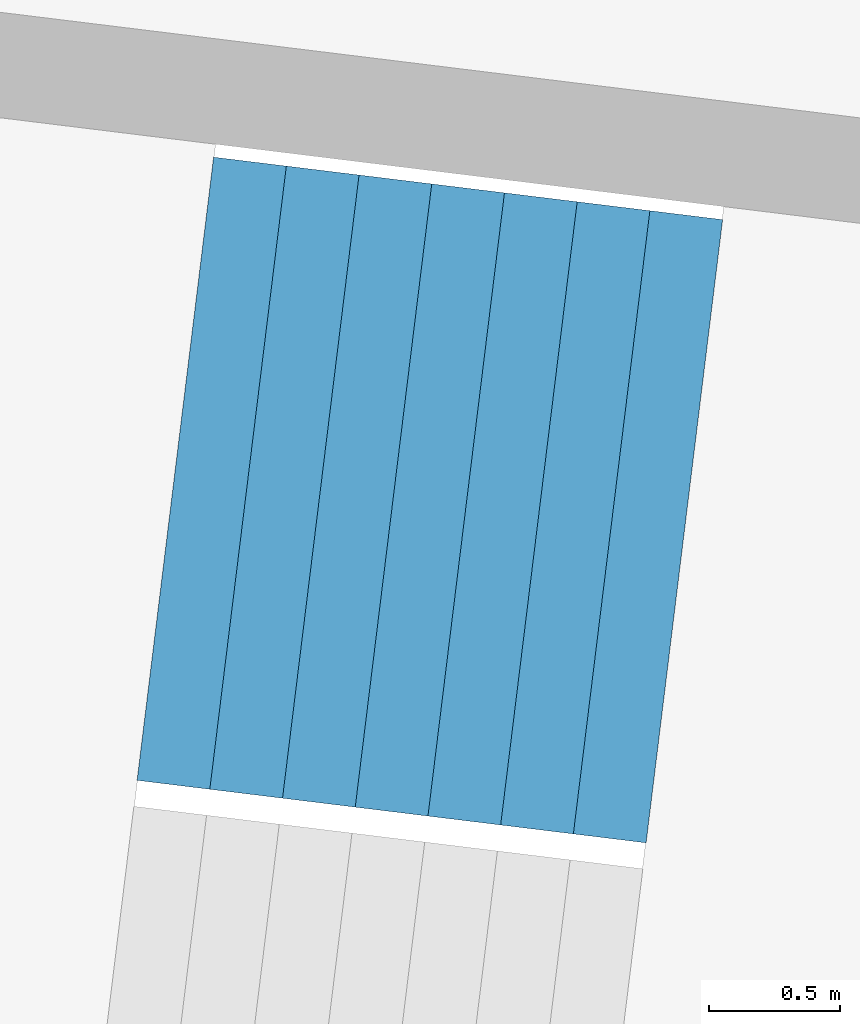
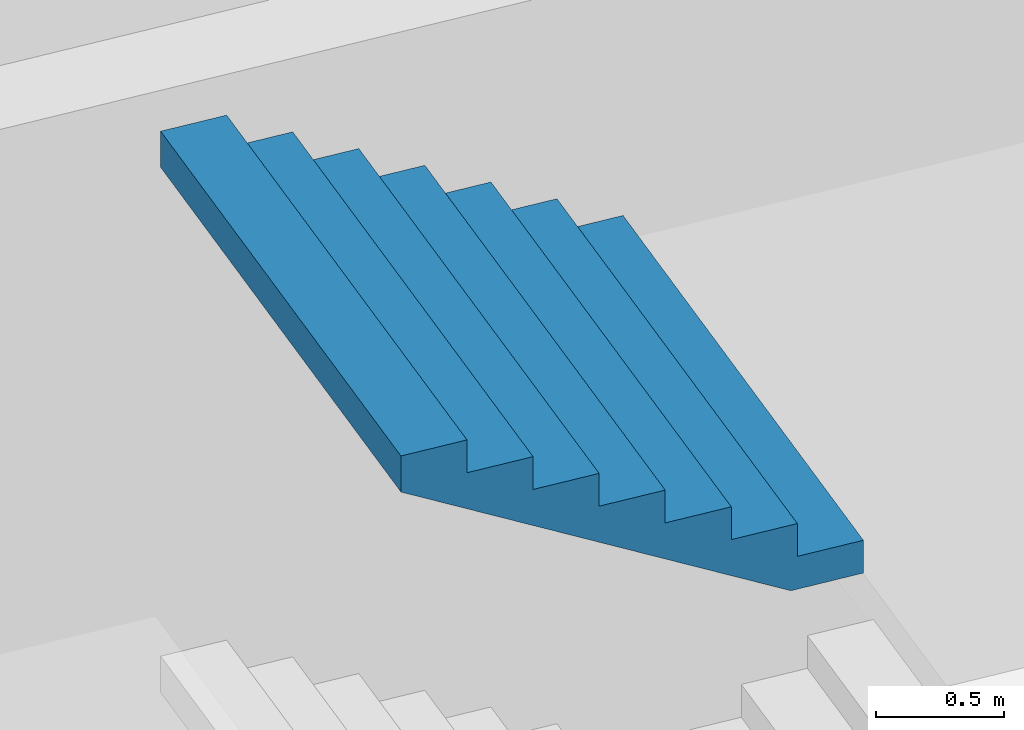
# One storey, part 56 of 73: 1 stair flight, 1 element without a shape of its own.
"""IFC4 building model written with IfcOpenShell, lengths in metres."""

from ifc_helpers import new_model, si_unit, direction, frame, origin, place, context, subcontext, project, spatial, triangles, material, type_object, element, aggregate, save


model = new_model("IFC4")

# Units and contexts
model_context = context("Model", 3, precision=1e-05, world=origin(), true_north=direction((0.0, 1.0)))
body_context = subcontext(model_context, "Body", "Model", "MODEL_VIEW")
ifc_project = project(units=[si_unit("LENGTHUNIT", "METRE"), si_unit("AREAUNIT", "SQUARE_METRE"), si_unit("VOLUMEUNIT", "CUBIC_METRE"), si_unit("PLANEANGLEUNIT", "RADIAN"), si_unit("MASSUNIT", "GRAM", prefix="KILO")], contexts=[model_context])

# Site, building, storey
site_placement = place(None, origin())
site = spatial("IfcSite", under=ifc_project, at=site_placement, CompositionType="ELEMENT")
building_placement = place(site_placement, origin())
building = spatial("IfcBuilding", under=site, at=building_placement, Name="Lantaw Convention Tower", CompositionType="ELEMENT")
storey_placement = place(building_placement, frame((0.0, 0.0, 27.0)))
storey = spatial("IfcBuildingStorey", under=building, at=storey_placement, Name="L04", CompositionType="ELEMENT", Elevation=27.0)

# Stair, stair flight
ifc_material = material(Name="Concrete C35/45", Category="concrete")
stair_type = type_object("IfcStairType", Name="Exit stair 2400 riser 156.25 in 4 flights", PredefinedType="HALF_TURN_STAIR", material=ifc_material)
stair_placement = place(storey_placement, origin())
stair = element("IfcStair", 1, at=stair_placement, inside=storey, type_object=stair_type, Name="Podium exit stair P13 L04", PredefinedType="HALF_TURN_STAIR")
stair_flight_type = type_object("IfcStairFlightType", Name="Stair flight 2400 riser 156.25", PredefinedType="STRAIGHT", material=ifc_material)
stair_flight_placement = place(storey_placement, frame((37.107666015625, -3.296875, 3.75), z_axis=(0.0, 0.0, 1.0), x_axis=(-0.992546151641, 0.121869343405, 0.0)))
stair_flight = element("IfcStairFlight", 2, at=stair_flight_placement, type_object=stair_flight_type, Name="P13 flight 4", NumberOfRisers=8, NumberOfTreads=7, PredefinedType="STRAIGHT", RiserHeight=0.15625, TreadLength=0.28, context=body_context, shape_type="Tessellation", body=[
    triangles([(0.0, 1.199951171875, 0.0), (0.0, 1.199951171875, 0.15625), (0.28, 1.199951171875, 0.0), (0.28, 1.199951171875, 0.15625), (0.28, 1.199951171875, 0.3125), (0.3076200632058044, 1.199951171875, 0.0), (0.3076200632058044, 1.199951171875, 0.3125), (0.56, 1.199951171875, 0.14083701830033238), (0.56, 1.199951171875, 0.3125), (0.56, 1.199951171875, 0.46875), (0.8400000000000001, 1.199951171875, 0.29708701830033235), (0.8400000000000001, 1.199951171875, 0.46875), (0.8400000000000001, 1.199951171875, 0.625), (1.12, 1.199951171875, 0.45333701830033235), (1.12, 1.199951171875, 0.625), (1.12, 1.199951171875, 0.78125), (1.4000000000000001, 1.199951171875, 0.6095870183003324), (1.4000000000000001, 1.199951171875, 0.78125), (1.4000000000000001, 1.199951171875, 0.9375), (1.6800000000000002, 1.199951171875, 0.7658370183003324), (1.6800000000000002, 1.199951171875, 0.9375), (1.6800000000000002, 1.199951171875, 1.09375), (1.9600000000000002, 1.199951171875, 0.9220870183003324), (1.9600000000000002, 1.199951171875, 1.09375), (0.0, -1.199951171875, 0.0), (0.0, -1.199951171875, 0.15625), (0.28, -1.199951171875, 0.0), (0.28, -1.199951171875, 0.15625), (0.28, -1.199951171875, 0.3125), (0.3076200632058044, -1.199951171875, 0.0), (0.3076200632058044, -1.199951171875, 0.3125), (0.56, -1.199951171875, 0.14083701830033238), (0.56, -1.199951171875, 0.3125), (0.56, -1.199951171875, 0.46875), (0.8400000000000001, -1.199951171875, 0.29708701830033235), (0.8400000000000001, -1.199951171875, 0.46875), (0.8400000000000001, -1.199951171875, 0.625), (1.12, -1.199951171875, 0.45333701830033235), (1.12, -1.199951171875, 0.625), (1.12, -1.199951171875, 0.78125), (1.4000000000000001, -1.199951171875, 0.6095870183003324), (1.4000000000000001, -1.199951171875, 0.78125), (1.4000000000000001, -1.199951171875, 0.9375), (1.6800000000000002, -1.199951171875, 0.7658370183003324), (1.6800000000000002, -1.199951171875, 0.9375), (1.6800000000000002, -1.199951171875, 1.09375), (1.9600000000000002, -1.199951171875, 0.9220870183003324), (1.9600000000000002, -1.199951171875, 1.09375), (0.0, 0.239990234375, 0.15625), (0.0, 0.239990234375, 0.0), (0.0, 0.1919921875, 0.15625), (0.0, 0.1919921875, 0.0), (0.0, 0.143994140625, 0.15625), (0.0, 0.143994140625, 0.0), (0.0, 0.09599609375, 0.15625), (0.0, 0.09599609375, 0.0), (0.0, 0.047998046875, 0.15625), (0.0, 0.047998046875, 0.0), (0.0, 0.0, 0.15625), (0.0, 0.0, 0.0), (0.0, -0.047998046875, 0.15625), (0.0, -0.047998046875, 0.0), (0.0, -0.09599609375, 0.15625), (0.0, -0.09599609375, 0.0), (0.0, -0.143994140625, 0.15625), (0.0, -0.143994140625, 0.0), (0.0, -0.1919921875, 0.15625), (0.0, -0.1919921875, 0.0), (0.0, -0.239990234375, 0.15625), (0.0, -0.239990234375, 0.0), (0.28, 0.239990234375, 0.3125), (0.28, 0.239990234375, 0.15625), (0.28, 0.1919921875, 0.3125), (0.28, 0.1919921875, 0.15625), (0.28, 0.143994140625, 0.3125), (0.28, 0.143994140625, 0.15625), (0.28, 0.09599609375, 0.3125), (0.28, 0.09599609375, 0.15625), (0.28, 0.047998046875, 0.3125), (0.28, 0.047998046875, 0.15625), (0.28, 0.0, 0.3125), (0.28, 0.0, 0.15625), (0.28, -0.047998046875, 0.3125), (0.28, -0.047998046875, 0.15625), (0.28, -0.09599609375, 0.3125), (0.28, -0.09599609375, 0.15625), (0.28, -0.143994140625, 0.3125), (0.28, -0.143994140625, 0.15625), (0.28, -0.1919921875, 0.3125), (0.28, -0.1919921875, 0.15625), (0.28, -0.239990234375, 0.3125), (0.28, -0.239990234375, 0.15625), (0.56, 0.239990234375, 0.46875), (0.56, 0.239990234375, 0.3125), (0.56, 0.1919921875, 0.46875), (0.56, 0.1919921875, 0.3125), (0.56, 0.143994140625, 0.46875), (0.56, 0.143994140625, 0.3125), (0.56, 0.09599609375, 0.46875), (0.56, 0.09599609375, 0.3125), (0.56, 0.047998046875, 0.46875), (0.56, 0.047998046875, 0.3125), (0.56, 0.0, 0.46875), (0.56, 0.0, 0.3125), (0.56, -0.047998046875, 0.46875), (0.56, -0.047998046875, 0.3125), (0.56, -0.09599609375, 0.46875), (0.56, -0.09599609375, 0.3125), (0.56, -0.143994140625, 0.46875), (0.56, -0.143994140625, 0.3125), (0.56, -0.1919921875, 0.46875), (0.56, -0.1919921875, 0.3125), (0.56, -0.239990234375, 0.46875), (0.56, -0.239990234375, 0.3125), (0.8400000000000001, 0.239990234375, 0.625), (0.8400000000000001, 0.239990234375, 0.46875), (0.8400000000000001, 0.1919921875, 0.625), (0.8400000000000001, 0.1919921875, 0.46875), (0.8400000000000001, 0.143994140625, 0.625), (0.8400000000000001, 0.143994140625, 0.46875), (0.8400000000000001, 0.09599609375, 0.625), (0.8400000000000001, 0.09599609375, 0.46875), (0.8400000000000001, 0.047998046875, 0.625), (0.8400000000000001, 0.047998046875, 0.46875), (0.8400000000000001, 0.0, 0.625), (0.8400000000000001, 0.0, 0.46875), (0.8400000000000001, -0.047998046875, 0.625), (0.8400000000000001, -0.047998046875, 0.46875), (0.8400000000000001, -0.09599609375, 0.625), (0.8400000000000001, -0.09599609375, 0.46875), (0.8400000000000001, -0.143994140625, 0.625), (0.8400000000000001, -0.143994140625, 0.46875), (0.8400000000000001, -0.1919921875, 0.625), (0.8400000000000001, -0.1919921875, 0.46875), (0.8400000000000001, -0.239990234375, 0.625), (0.8400000000000001, -0.239990234375, 0.46875), (1.12, 0.239990234375, 0.78125), (1.12, 0.239990234375, 0.625), (1.12, 0.1919921875, 0.78125), (1.12, 0.1919921875, 0.625), (1.12, 0.143994140625, 0.78125), (1.12, 0.143994140625, 0.625), (1.12, 0.09599609375, 0.78125), (1.12, 0.09599609375, 0.625), (1.12, 0.047998046875, 0.78125), (1.12, 0.047998046875, 0.625), (1.12, 0.0, 0.78125), (1.12, 0.0, 0.625), (1.12, -0.047998046875, 0.78125), (1.12, -0.047998046875, 0.625), (1.12, -0.09599609375, 0.78125), (1.12, -0.09599609375, 0.625), (1.12, -0.143994140625, 0.78125), (1.12, -0.143994140625, 0.625), (1.12, -0.1919921875, 0.78125), (1.12, -0.1919921875, 0.625), (1.12, -0.239990234375, 0.78125), (1.12, -0.239990234375, 0.625), (1.4000000000000001, 0.239990234375, 0.9375), (1.4000000000000001, 0.239990234375, 0.78125), (1.4000000000000001, 0.1919921875, 0.9375), (1.4000000000000001, 0.1919921875, 0.78125), (1.4000000000000001, 0.143994140625, 0.9375), (1.4000000000000001, 0.143994140625, 0.78125), (1.4000000000000001, 0.09599609375, 0.9375), (1.4000000000000001, 0.09599609375, 0.78125), (1.4000000000000001, 0.047998046875, 0.9375), (1.4000000000000001, 0.047998046875, 0.78125), (1.4000000000000001, 0.0, 0.9375), (1.4000000000000001, 0.0, 0.78125), (1.4000000000000001, -0.047998046875, 0.9375), (1.4000000000000001, -0.047998046875, 0.78125), (1.4000000000000001, -0.09599609375, 0.9375), (1.4000000000000001, -0.09599609375, 0.78125), (1.4000000000000001, -0.143994140625, 0.9375), (1.4000000000000001, -0.143994140625, 0.78125), (1.4000000000000001, -0.1919921875, 0.9375), (1.4000000000000001, -0.1919921875, 0.78125), (1.4000000000000001, -0.239990234375, 0.9375), (1.4000000000000001, -0.239990234375, 0.78125), (1.6800000000000002, 0.239990234375, 1.09375), (1.6800000000000002, 0.239990234375, 0.9375), (1.6800000000000002, 0.1919921875, 1.09375), (1.6800000000000002, 0.1919921875, 0.9375), (1.6800000000000002, 0.143994140625, 1.09375), (1.6800000000000002, 0.143994140625, 0.9375), (1.6800000000000002, 0.09599609375, 1.09375), (1.6800000000000002, 0.09599609375, 0.9375), (1.6800000000000002, 0.047998046875, 1.09375), (1.6800000000000002, 0.047998046875, 0.9375), (1.6800000000000002, 0.0, 1.09375), (1.6800000000000002, 0.0, 0.9375), (1.6800000000000002, -0.047998046875, 1.09375), (1.6800000000000002, -0.047998046875, 0.9375), (1.6800000000000002, -0.09599609375, 1.09375), (1.6800000000000002, -0.09599609375, 0.9375), (1.6800000000000002, -0.143994140625, 1.09375), (1.6800000000000002, -0.143994140625, 0.9375), (1.6800000000000002, -0.1919921875, 1.09375), (1.6800000000000002, -0.1919921875, 0.9375), (1.6800000000000002, -0.239990234375, 1.09375), (1.6800000000000002, -0.239990234375, 0.9375), (0.3076200632058044, 0.239990234375, 0.3125), (0.3076200632058044, 0.1919921875, 0.3125), (0.3076200632058044, 0.143994140625, 0.3125), (0.3076200632058044, 0.09599609375, 0.3125), (0.3076200632058044, 0.047998046875, 0.3125), (0.3076200632058044, 0.0, 0.3125), (0.3076200632058044, -0.047998046875, 0.3125), (0.3076200632058044, -0.09599609375, 0.3125), (0.3076200632058044, -0.143994140625, 0.3125), (0.3076200632058044, -0.1919921875, 0.3125), (0.3076200632058044, -0.239990234375, 0.3125), (1.9600000000000002, 0.239990234375, 1.09375), (1.9600000000000002, 0.1919921875, 1.09375), (1.9600000000000002, 0.143994140625, 1.09375), (1.9600000000000002, 0.09599609375, 1.09375), (1.9600000000000002, 0.047998046875, 1.09375), (1.9600000000000002, 0.0, 1.09375), (1.9600000000000002, -0.047998046875, 1.09375), (1.9600000000000002, -0.09599609375, 1.09375), (1.9600000000000002, -0.143994140625, 1.09375), (1.9600000000000002, -0.1919921875, 1.09375), (1.9600000000000002, -0.239990234375, 1.09375), (1.9600000000000002, 0.239990234375, 0.9220870183003324), (1.9600000000000002, 0.1919921875, 0.9220870183003324), (1.9600000000000002, 0.143994140625, 0.9220870183003324), (1.9600000000000002, 0.09599609375, 0.9220870183003324), (1.9600000000000002, 0.047998046875, 0.9220870183003324), (1.9600000000000002, 0.0, 0.9220870183003324), (1.9600000000000002, -0.047998046875, 0.9220870183003324), (1.9600000000000002, -0.09599609375, 0.9220870183003324), (1.9600000000000002, -0.143994140625, 0.9220870183003324), (1.9600000000000002, -0.1919921875, 0.9220870183003324), (1.9600000000000002, -0.239990234375, 0.9220870183003324), (1.6800000000000002, 0.239990234375, 0.7658370183003324), (1.6800000000000002, 0.1919921875, 0.7658370183003324), (1.6800000000000002, 0.143994140625, 0.7658370183003324), (1.6800000000000002, 0.09599609375, 0.7658370183003324), (1.6800000000000002, 0.047998046875, 0.7658370183003324), (1.6800000000000002, 0.0, 0.7658370183003324), (1.6800000000000002, -0.047998046875, 0.7658370183003324), (1.6800000000000002, -0.09599609375, 0.7658370183003324), (1.6800000000000002, -0.143994140625, 0.7658370183003324), (1.6800000000000002, -0.1919921875, 0.7658370183003324), (1.6800000000000002, -0.239990234375, 0.7658370183003324), (1.4000000000000001, 0.239990234375, 0.6095870183003324), (1.4000000000000001, 0.1919921875, 0.6095870183003324), (1.4000000000000001, 0.143994140625, 0.6095870183003324), (1.4000000000000001, 0.09599609375, 0.6095870183003324), (1.4000000000000001, 0.047998046875, 0.6095870183003324), (1.4000000000000001, 0.0, 0.6095870183003324), (1.4000000000000001, -0.047998046875, 0.6095870183003324), (1.4000000000000001, -0.09599609375, 0.6095870183003324), (1.4000000000000001, -0.143994140625, 0.6095870183003324), (1.4000000000000001, -0.1919921875, 0.6095870183003324), (1.4000000000000001, -0.239990234375, 0.6095870183003324), (1.12, 0.239990234375, 0.45333701830033235), (1.12, 0.1919921875, 0.45333701830033235), (1.12, 0.143994140625, 0.45333701830033235), (1.12, 0.09599609375, 0.45333701830033235), (1.12, 0.047998046875, 0.45333701830033235), (1.12, 0.0, 0.45333701830033235), (1.12, -0.047998046875, 0.45333701830033235), (1.12, -0.09599609375, 0.45333701830033235), (1.12, -0.143994140625, 0.45333701830033235), (1.12, -0.1919921875, 0.45333701830033235), (1.12, -0.239990234375, 0.45333701830033235), (0.8400000000000001, 0.239990234375, 0.29708701830033235), (0.8400000000000001, 0.1919921875, 0.29708701830033235), (0.8400000000000001, 0.143994140625, 0.29708701830033235), (0.8400000000000001, 0.09599609375, 0.29708701830033235), (0.8400000000000001, 0.047998046875, 0.29708701830033235), (0.8400000000000001, 0.0, 0.29708701830033235), (0.8400000000000001, -0.047998046875, 0.29708701830033235), (0.8400000000000001, -0.09599609375, 0.29708701830033235), (0.8400000000000001, -0.143994140625, 0.29708701830033235), (0.8400000000000001, -0.1919921875, 0.29708701830033235), (0.8400000000000001, -0.239990234375, 0.29708701830033235), (0.56, 0.239990234375, 0.14083701830033238), (0.56, 0.1919921875, 0.14083701830033238), (0.56, 0.143994140625, 0.14083701830033238), (0.56, 0.09599609375, 0.14083701830033238), (0.56, 0.047998046875, 0.14083701830033238), (0.56, 0.0, 0.14083701830033238), (0.56, -0.047998046875, 0.14083701830033238), (0.56, -0.09599609375, 0.14083701830033238), (0.56, -0.143994140625, 0.14083701830033238), (0.56, -0.1919921875, 0.14083701830033238), (0.56, -0.239990234375, 0.14083701830033238), (0.3076200632058044, 0.239990234375, 0.0), (0.3076200632058044, 0.1919921875, 0.0), (0.3076200632058044, 0.143994140625, 0.0), (0.3076200632058044, 0.09599609375, 0.0), (0.3076200632058044, 0.047998046875, 0.0), (0.3076200632058044, 0.0, 0.0), (0.3076200632058044, -0.047998046875, 0.0), (0.3076200632058044, -0.09599609375, 0.0), (0.3076200632058044, -0.143994140625, 0.0), (0.3076200632058044, -0.1919921875, 0.0), (0.3076200632058044, -0.239990234375, 0.0), (0.28, 0.239990234375, 0.0), (0.28, 0.1919921875, 0.0), (0.28, 0.143994140625, 0.0), (0.28, 0.09599609375, 0.0), (0.28, 0.047998046875, 0.0), (0.28, 0.0, 0.0), (0.28, -0.047998046875, 0.0), (0.28, -0.09599609375, 0.0), (0.28, -0.143994140625, 0.0), (0.28, -0.1919921875, 0.0), (0.28, -0.239990234375, 0.0)], [[1, 4, 3], [1, 2, 4], [3, 4, 6], [4, 7, 6], [4, 5, 7], [6, 9, 8], [6, 7, 9], [8, 9, 11], [9, 12, 11], [9, 10, 12], [11, 12, 14], [12, 15, 14], [12, 13, 15], [14, 15, 17], [15, 18, 17], [15, 16, 18], [17, 18, 20], [18, 21, 20], [18, 19, 21], [20, 21, 23], [21, 24, 23], [21, 22, 24], [25, 27, 28], [25, 28, 26], [27, 30, 28], [28, 30, 31], [28, 31, 29], [30, 32, 33], [30, 33, 31], [32, 35, 33], [33, 35, 36], [33, 36, 34], [35, 38, 36], [36, 38, 39], [36, 39, 37], [38, 41, 39], [39, 41, 42], [39, 42, 40], [41, 44, 42], [42, 44, 45], [42, 45, 43], [44, 47, 45], [45, 47, 48], [45, 48, 46], [1, 49, 2], [1, 50, 49], [50, 51, 49], [50, 52, 51], [52, 53, 51], [52, 54, 53], [54, 55, 53], [54, 56, 55], [56, 57, 55], [56, 58, 57], [58, 59, 57], [58, 60, 59], [60, 61, 59], [60, 62, 61], [62, 63, 61], [62, 64, 63], [64, 65, 63], [64, 66, 65], [66, 67, 65], [66, 68, 67], [68, 69, 67], [68, 70, 69], [70, 26, 69], [70, 25, 26], [4, 71, 5], [4, 72, 71], [72, 73, 71], [72, 74, 73], [74, 75, 73], [74, 76, 75], [76, 77, 75], [76, 78, 77], [78, 79, 77], [78, 80, 79], [80, 81, 79], [80, 82, 81], [82, 83, 81], [82, 84, 83], [84, 85, 83], [84, 86, 85], [86, 87, 85], [86, 88, 87], [88, 89, 87], [88, 90, 89], [90, 91, 89], [90, 92, 91], [92, 29, 91], [92, 28, 29], [9, 93, 10], [9, 94, 93], [94, 95, 93], [94, 96, 95], [96, 97, 95], [96, 98, 97], [98, 99, 97], [98, 100, 99], [100, 101, 99], [100, 102, 101], [102, 103, 101], [102, 104, 103], [104, 105, 103], [104, 106, 105], [106, 107, 105], [106, 108, 107], [108, 109, 107], [108, 110, 109], [110, 111, 109], [110, 112, 111], [112, 113, 111], [112, 114, 113], [114, 34, 113], [114, 33, 34], [12, 115, 13], [12, 116, 115], [116, 117, 115], [116, 118, 117], [118, 119, 117], [118, 120, 119], [120, 121, 119], [120, 122, 121], [122, 123, 121], [122, 124, 123], [124, 125, 123], [124, 126, 125], [126, 127, 125], [126, 128, 127], [128, 129, 127], [128, 130, 129], [130, 131, 129], [130, 132, 131], [132, 133, 131], [132, 134, 133], [134, 135, 133], [134, 136, 135], [136, 37, 135], [136, 36, 37], [15, 137, 16], [15, 138, 137], [138, 139, 137], [138, 140, 139], [140, 141, 139], [140, 142, 141], [142, 143, 141], [142, 144, 143], [144, 145, 143], [144, 146, 145], [146, 147, 145], [146, 148, 147], [148, 149, 147], [148, 150, 149], [150, 151, 149], [150, 152, 151], [152, 153, 151], [152, 154, 153], [154, 155, 153], [154, 156, 155], [156, 157, 155], [156, 158, 157], [158, 40, 157], [158, 39, 40], [18, 159, 19], [18, 160, 159], [160, 161, 159], [160, 162, 161], [162, 163, 161], [162, 164, 163], [164, 165, 163], [164, 166, 165], [166, 167, 165], [166, 168, 167], [168, 169, 167], [168, 170, 169], [170, 171, 169], [170, 172, 171], [172, 173, 171], [172, 174, 173], [174, 175, 173], [174, 176, 175], [176, 177, 175], [176, 178, 177], [178, 179, 177], [178, 180, 179], [180, 43, 179], [180, 42, 43], [21, 181, 22], [21, 182, 181], [182, 183, 181], [182, 184, 183], [184, 185, 183], [184, 186, 185], [186, 187, 185], [186, 188, 187], [188, 189, 187], [188, 190, 189], [190, 191, 189], [190, 192, 191], [192, 193, 191], [192, 194, 193], [194, 195, 193], [194, 196, 195], [196, 197, 195], [196, 198, 197], [198, 199, 197], [198, 200, 199], [200, 201, 199], [200, 202, 201], [202, 46, 201], [202, 45, 46], [2, 72, 4], [2, 49, 72], [49, 74, 72], [49, 51, 74], [51, 76, 74], [51, 53, 76], [53, 78, 76], [53, 55, 78], [55, 80, 78], [55, 57, 80], [57, 82, 80], [57, 59, 82], [59, 84, 82], [59, 61, 84], [61, 86, 84], [61, 63, 86], [63, 88, 86], [63, 65, 88], [65, 90, 88], [65, 67, 90], [67, 92, 90], [67, 69, 92], [69, 28, 92], [69, 26, 28], [5, 203, 7], [5, 71, 203], [71, 204, 203], [71, 73, 204], [73, 205, 204], [73, 75, 205], [75, 206, 205], [75, 77, 206], [77, 207, 206], [77, 79, 207], [79, 208, 207], [79, 81, 208], [81, 209, 208], [81, 83, 209], [83, 210, 209], [83, 85, 210], [85, 211, 210], [85, 87, 211], [87, 212, 211], [87, 89, 212], [89, 213, 212], [89, 91, 213], [91, 31, 213], [91, 29, 31], [7, 94, 9], [7, 203, 94], [203, 96, 94], [203, 204, 96], [204, 98, 96], [204, 205, 98], [205, 100, 98], [205, 206, 100], [206, 102, 100], [206, 207, 102], [207, 104, 102], [207, 208, 104], [208, 106, 104], [208, 209, 106], [209, 108, 106], [209, 210, 108], [210, 110, 108], [210, 211, 110], [211, 112, 110], [211, 212, 112], [212, 114, 112], [212, 213, 114], [213, 33, 114], [213, 31, 33], [10, 116, 12], [10, 93, 116], [93, 118, 116], [93, 95, 118], [95, 120, 118], [95, 97, 120], [97, 122, 120], [97, 99, 122], [99, 124, 122], [99, 101, 124], [101, 126, 124], [101, 103, 126], [103, 128, 126], [103, 105, 128], [105, 130, 128], [105, 107, 130], [107, 132, 130], [107, 109, 132], [109, 134, 132], [109, 111, 134], [111, 136, 134], [111, 113, 136], [113, 36, 136], [113, 34, 36], [13, 138, 15], [13, 115, 138], [115, 140, 138], [115, 117, 140], [117, 142, 140], [117, 119, 142], [119, 144, 142], [119, 121, 144], [121, 146, 144], [121, 123, 146], [123, 148, 146], [123, 125, 148], [125, 150, 148], [125, 127, 150], [127, 152, 150], [127, 129, 152], [129, 154, 152], [129, 131, 154], [131, 156, 154], [131, 133, 156], [133, 158, 156], [133, 135, 158], [135, 39, 158], [135, 37, 39], [16, 160, 18], [16, 137, 160], [137, 162, 160], [137, 139, 162], [139, 164, 162], [139, 141, 164], [141, 166, 164], [141, 143, 166], [143, 168, 166], [143, 145, 168], [145, 170, 168], [145, 147, 170], [147, 172, 170], [147, 149, 172], [149, 174, 172], [149, 151, 174], [151, 176, 174], [151, 153, 176], [153, 178, 176], [153, 155, 178], [155, 180, 178], [155, 157, 180], [157, 42, 180], [157, 40, 42], [19, 182, 21], [19, 159, 182], [159, 184, 182], [159, 161, 184], [161, 186, 184], [161, 163, 186], [163, 188, 186], [163, 165, 188], [165, 190, 188], [165, 167, 190], [167, 192, 190], [167, 169, 192], [169, 194, 192], [169, 171, 194], [171, 196, 194], [171, 173, 196], [173, 198, 196], [173, 175, 198], [175, 200, 198], [175, 177, 200], [177, 202, 200], [177, 179, 202], [179, 45, 202], [179, 43, 45], [22, 214, 24], [22, 181, 214], [181, 215, 214], [181, 183, 215], [183, 216, 215], [183, 185, 216], [185, 217, 216], [185, 187, 217], [187, 218, 217], [187, 189, 218], [189, 219, 218], [189, 191, 219], [191, 220, 219], [191, 193, 220], [193, 221, 220], [193, 195, 221], [195, 222, 221], [195, 197, 222], [197, 223, 222], [197, 199, 223], [199, 224, 223], [199, 201, 224], [201, 48, 224], [201, 46, 48], [24, 225, 23], [24, 214, 225], [214, 226, 225], [214, 215, 226], [215, 227, 226], [215, 216, 227], [216, 228, 227], [216, 217, 228], [217, 229, 228], [217, 218, 229], [218, 230, 229], [218, 219, 230], [219, 231, 230], [219, 220, 231], [220, 232, 231], [220, 221, 232], [221, 233, 232], [221, 222, 233], [222, 234, 233], [222, 223, 234], [223, 235, 234], [223, 224, 235], [224, 47, 235], [224, 48, 47], [23, 236, 20], [23, 225, 236], [225, 237, 236], [225, 226, 237], [226, 238, 237], [226, 227, 238], [227, 239, 238], [227, 228, 239], [228, 240, 239], [228, 229, 240], [229, 241, 240], [229, 230, 241], [230, 242, 241], [230, 231, 242], [231, 243, 242], [231, 232, 243], [232, 244, 243], [232, 233, 244], [233, 245, 244], [233, 234, 245], [234, 246, 245], [234, 235, 246], [235, 44, 246], [235, 47, 44], [20, 247, 17], [20, 236, 247], [236, 248, 247], [236, 237, 248], [237, 249, 248], [237, 238, 249], [238, 250, 249], [238, 239, 250], [239, 251, 250], [239, 240, 251], [240, 252, 251], [240, 241, 252], [241, 253, 252], [241, 242, 253], [242, 254, 253], [242, 243, 254], [243, 255, 254], [243, 244, 255], [244, 256, 255], [244, 245, 256], [245, 257, 256], [245, 246, 257], [246, 41, 257], [246, 44, 41], [17, 258, 14], [17, 247, 258], [247, 259, 258], [247, 248, 259], [248, 260, 259], [248, 249, 260], [249, 261, 260], [249, 250, 261], [250, 262, 261], [250, 251, 262], [251, 263, 262], [251, 252, 263], [252, 264, 263], [252, 253, 264], [253, 265, 264], [253, 254, 265], [254, 266, 265], [254, 255, 266], [255, 267, 266], [255, 256, 267], [256, 268, 267], [256, 257, 268], [257, 38, 268], [257, 41, 38], [14, 269, 11], [14, 258, 269], [258, 270, 269], [258, 259, 270], [259, 271, 270], [259, 260, 271], [260, 272, 271], [260, 261, 272], [261, 273, 272], [261, 262, 273], [262, 274, 273], [262, 263, 274], [263, 275, 274], [263, 264, 275], [264, 276, 275], [264, 265, 276], [265, 277, 276], [265, 266, 277], [266, 278, 277], [266, 267, 278], [267, 279, 278], [267, 268, 279], [268, 35, 279], [268, 38, 35], [11, 280, 8], [11, 269, 280], [269, 281, 280], [269, 270, 281], [270, 282, 281], [270, 271, 282], [271, 283, 282], [271, 272, 283], [272, 284, 283], [272, 273, 284], [273, 285, 284], [273, 274, 285], [274, 286, 285], [274, 275, 286], [275, 287, 286], [275, 276, 287], [276, 288, 287], [276, 277, 288], [277, 289, 288], [277, 278, 289], [278, 290, 289], [278, 279, 290], [279, 32, 290], [279, 35, 32], [8, 291, 6], [8, 280, 291], [280, 292, 291], [280, 281, 292], [281, 293, 292], [281, 282, 293], [282, 294, 293], [282, 283, 294], [283, 295, 294], [283, 284, 295], [284, 296, 295], [284, 285, 296], [285, 297, 296], [285, 286, 297], [286, 298, 297], [286, 287, 298], [287, 299, 298], [287, 288, 299], [288, 300, 299], [288, 289, 300], [289, 301, 300], [289, 290, 301], [290, 30, 301], [290, 32, 30], [6, 302, 3], [6, 291, 302], [291, 303, 302], [291, 292, 303], [292, 304, 303], [292, 293, 304], [293, 305, 304], [293, 294, 305], [294, 306, 305], [294, 295, 306], [295, 307, 306], [295, 296, 307], [296, 308, 307], [296, 297, 308], [297, 309, 308], [297, 298, 309], [298, 310, 309], [298, 299, 310], [299, 311, 310], [299, 300, 311], [300, 312, 311], [300, 301, 312], [301, 27, 312], [301, 30, 27], [3, 50, 1], [3, 302, 50], [302, 52, 50], [302, 303, 52], [303, 54, 52], [303, 304, 54], [304, 56, 54], [304, 305, 56], [305, 58, 56], [305, 306, 58], [306, 60, 58], [306, 307, 60], [307, 62, 60], [307, 308, 62], [308, 64, 62], [308, 309, 64], [309, 66, 64], [309, 310, 66], [310, 68, 66], [310, 311, 68], [311, 70, 68], [311, 312, 70], [312, 25, 70], [312, 27, 25]], closed=True),
])
aggregate(stair, [stair_flight])

save(model, "model.ifc")
